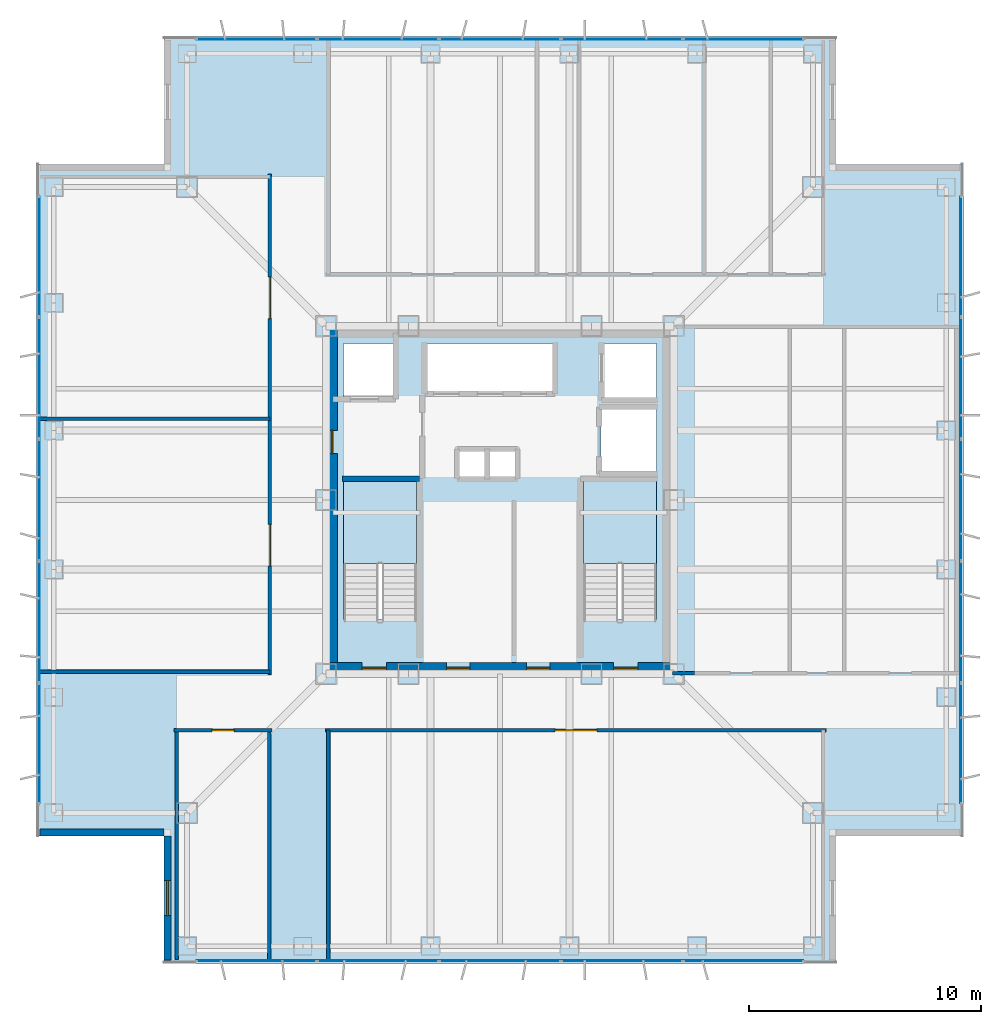
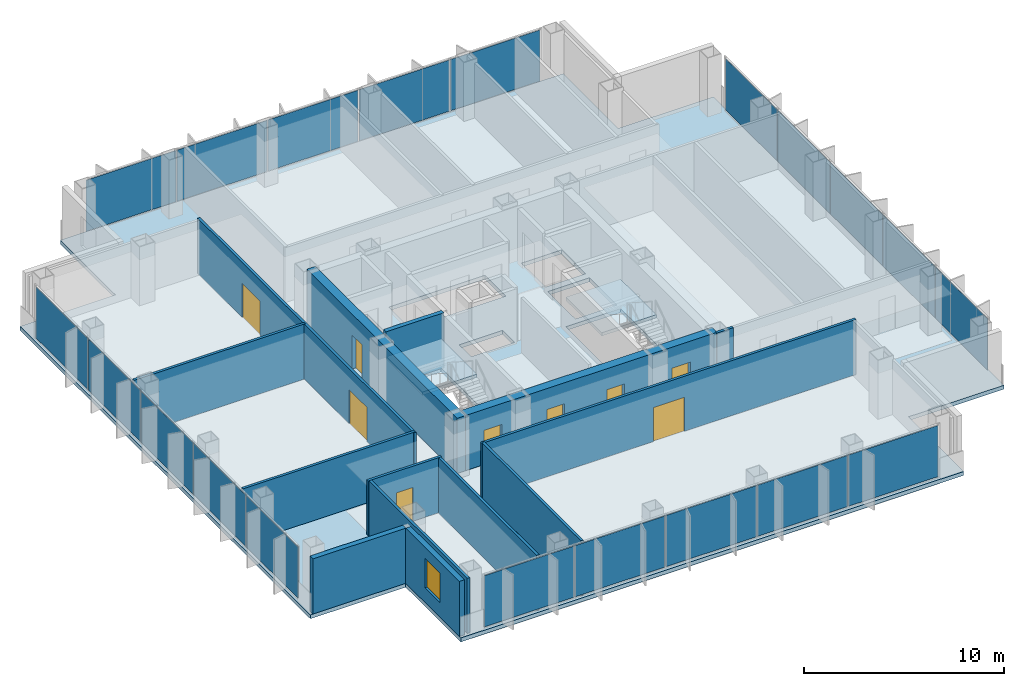
# One storey, part 9 of 17: 20 plates, 14 walls, 9 doors, 3 slabs, 1 window, 10 openings, 6 elements without a shape of their own.
"""IFC4 building model written with IfcOpenShell, lengths in metres."""

from ifc_helpers import new_model, si_unit, direction, frame, frame_2d, origin, origin_2d, place, context, subcontext, project, spatial, polyline, rectangle, outline, extrude, material, layer, layer_set, type_object, element, fill, aggregate, save


model = new_model("IFC4")

# Units and contexts
model_context = context("Model", 3, precision=1e-05, world=origin(), true_north=direction((0.0, 1.0)))
body_context = subcontext(model_context, "Body", "Model", "MODEL_VIEW")
ifc_project = project(units=[si_unit("LENGTHUNIT", "METRE"), si_unit("AREAUNIT", "SQUARE_METRE"), si_unit("VOLUMEUNIT", "CUBIC_METRE"), si_unit("PLANEANGLEUNIT", "RADIAN"), si_unit("MASSUNIT", "GRAM", prefix="KILO")], contexts=[model_context])

# Site, building, storey
site_placement = place(None, origin())
site = spatial("IfcSite", under=ifc_project, at=site_placement, CompositionType="ELEMENT")
building_placement = place(site_placement, origin())
building = spatial("IfcBuilding", under=site, at=building_placement, Name="Trevonay Congress Spire", CompositionType="ELEMENT")
storey_placement = place(building_placement, frame((0.0, 0.0, 184.199951171875)))
storey = spatial("IfcBuildingStorey", under=building, at=storey_placement, Name="L47", CompositionType="ELEMENT", Elevation=184.199951171875)

# Curtain wall, plates
ifc_material_1 = material(Name="Pale Anodised Aluminium EN AW-6063-T6", Category="aluminium")
ifc_layer_1 = layer(ifc_material_1, 0.169921875, Name="Pale Anodised Aluminium EN AW-6063-T6")
ifc_layer_set_1 = layer_set([ifc_layer_1], Name="Pale Anodised Aluminium EN AW-6063-T6")
curtain_wall_type = type_object("IfcCurtainWallType", Name="CW-SYS04-CORP-PALE-METAL", PredefinedType="NOTDEFINED", material=ifc_layer_set_1)
curtain_wall_1_placement = place(storey_placement, origin())
curtain_wall_1 = element("IfcCurtainWall", 1, at=curtain_wall_1_placement, inside=storey, type_object=curtain_wall_type, Name="L47 S unitised curtain wall", PredefinedType="NOTDEFINED")
ifc_material_2 = material(Name="Insulated Low-E Vision Glass IGU", Category="glass")
ifc_layer_2 = layer(ifc_material_2, 0.035888671875, Name="Insulated Low-E Vision Glass IGU")
ifc_layer_set_2 = layer_set([ifc_layer_2], Name="Insulated Low-E Vision Glass IGU")
plate_type = type_object("IfcPlateType", Name="CW-PANEL-IGU36-SILVER", PredefinedType="CURTAIN_PANEL", material=ifc_layer_set_2)
plate_1_placement = place(storey_placement, frame((-10.5048828125, -19.8798828125, 0.119873046875), z_axis=(0.0, 0.0, 1.0), x_axis=(1.0, 0.0, 0.0)))
plate_1 = element("IfcPlate", 2, at=plate_1_placement, type_object=plate_type, Name="CW04 panel 1.1", PredefinedType="CURTAIN_PANEL", context=body_context, shape_type="SweptSolid", body=[
    extrude(rectangle(XDim=5.169921875, YDim=0.035888671875, at=origin_2d()), origin(), (0.0, 0.0, 1.0), 3.1201171875),
])
plate_2_placement = place(storey_placement, frame((-5.260009765625, -19.8798828125, 0.119873046875), z_axis=(0.0, 0.0, 1.0), x_axis=(1.0, 0.0, 0.0)))
plate_2 = element("IfcPlate", 3, at=plate_2_placement, type_object=plate_type, Name="CW04 panel 2.1", PredefinedType="CURTAIN_PANEL", context=body_context, shape_type="SweptSolid", body=[
    extrude(rectangle(XDim=5.199951171875, YDim=0.035888671875, at=origin_2d()), origin(), (0.0, 0.0, 1.0), 3.1201171875),
])
plate_3_placement = place(storey_placement, frame((0.0, -19.8798828125, 0.119873046875), z_axis=(0.0, 0.0, 1.0), x_axis=(1.0, 0.0, 0.0)))
plate_3 = element("IfcPlate", 4, at=plate_3_placement, type_object=plate_type, Name="CW04 panel 3.1", PredefinedType="CURTAIN_PANEL", context=body_context, shape_type="SweptSolid", body=[
    extrude(rectangle(XDim=5.199951171875, YDim=0.035888671875, at=origin_2d()), origin(), (0.0, 0.0, 1.0), 3.1201171875),
])
plate_4_placement = place(storey_placement, frame((5.260009765625, -19.8798828125, 0.119873046875), z_axis=(0.0, 0.0, 1.0), x_axis=(1.0, 0.0, 0.0)))
plate_4 = element("IfcPlate", 5, at=plate_4_placement, type_object=plate_type, Name="CW04 panel 4.1", PredefinedType="CURTAIN_PANEL", context=body_context, shape_type="SweptSolid", body=[
    extrude(rectangle(XDim=5.199951171875, YDim=0.035888671875, at=origin_2d()), origin(), (0.0, 0.0, 1.0), 3.1201171875),
])
plate_5_placement = place(storey_placement, frame((10.5048828125, -19.8798828125, 0.119873046875), z_axis=(0.0, 0.0, 1.0), x_axis=(1.0, 0.0, 0.0)))
plate_5 = element("IfcPlate", 6, at=plate_5_placement, type_object=plate_type, Name="CW04 panel 5.1", PredefinedType="CURTAIN_PANEL", context=body_context, shape_type="SweptSolid", body=[
    extrude(rectangle(XDim=5.169921875, YDim=0.035888671875, at=origin_2d()), origin(), (0.0, 0.0, 1.0), 3.1201171875),
])
aggregate(curtain_wall_1, [plate_1, plate_2, plate_3, plate_4, plate_5])

curtain_wall_2_placement = place(storey_placement, origin())
curtain_wall_2 = element("IfcCurtainWall", 7, at=curtain_wall_2_placement, inside=storey, type_object=curtain_wall_type, Name="L47 N unitised curtain wall", PredefinedType="NOTDEFINED")
plate_6_placement = place(storey_placement, frame((-10.5048828125, 19.8798828125, 0.119873046875), z_axis=(0.0, 0.0, 1.0), x_axis=(1.0, 0.0, 0.0)))
plate_6 = element("IfcPlate", 8, at=plate_6_placement, type_object=plate_type, Name="CW04 panel 1.1", PredefinedType="CURTAIN_PANEL", context=body_context, shape_type="SweptSolid", body=[
    extrude(rectangle(XDim=5.169921875, YDim=0.035888671875, at=origin_2d()), origin(), (0.0, 0.0, 1.0), 3.1201171875),
])
plate_7_placement = place(storey_placement, frame((-5.260009765625, 19.8798828125, 0.119873046875), z_axis=(0.0, 0.0, 1.0), x_axis=(1.0, 0.0, 0.0)))
plate_7 = element("IfcPlate", 9, at=plate_7_placement, type_object=plate_type, Name="CW04 panel 2.1", PredefinedType="CURTAIN_PANEL", context=body_context, shape_type="SweptSolid", body=[
    extrude(rectangle(XDim=5.199951171875, YDim=0.035888671875, at=origin_2d()), origin(), (0.0, 0.0, 1.0), 3.1201171875),
])
plate_8_placement = place(storey_placement, frame((0.0, 19.8798828125, 0.119873046875), z_axis=(0.0, 0.0, 1.0), x_axis=(1.0, 0.0, 0.0)))
plate_8 = element("IfcPlate", 10, at=plate_8_placement, type_object=plate_type, Name="CW04 panel 3.1", PredefinedType="CURTAIN_PANEL", context=body_context, shape_type="SweptSolid", body=[
    extrude(rectangle(XDim=5.199951171875, YDim=0.035888671875, at=origin_2d()), origin(), (0.0, 0.0, 1.0), 3.1201171875),
])
plate_9_placement = place(storey_placement, frame((5.260009765625, 19.8798828125, 0.119873046875), z_axis=(0.0, 0.0, 1.0), x_axis=(1.0, 0.0, 0.0)))
plate_9 = element("IfcPlate", 11, at=plate_9_placement, type_object=plate_type, Name="CW04 panel 4.1", PredefinedType="CURTAIN_PANEL", context=body_context, shape_type="SweptSolid", body=[
    extrude(rectangle(XDim=5.199951171875, YDim=0.035888671875, at=origin_2d()), origin(), (0.0, 0.0, 1.0), 3.1201171875),
])
plate_10_placement = place(storey_placement, frame((10.5048828125, 19.8798828125, 0.119873046875), z_axis=(0.0, 0.0, 1.0), x_axis=(1.0, 0.0, 0.0)))
plate_10 = element("IfcPlate", 12, at=plate_10_placement, type_object=plate_type, Name="CW04 panel 5.1", PredefinedType="CURTAIN_PANEL", context=body_context, shape_type="SweptSolid", body=[
    extrude(rectangle(XDim=5.169921875, YDim=0.035888671875, at=origin_2d()), origin(), (0.0, 0.0, 1.0), 3.1201171875),
])
aggregate(curtain_wall_2, [plate_6, plate_7, plate_8, plate_9, plate_10])

curtain_wall_3_placement = place(storey_placement, origin())
curtain_wall_3 = element("IfcCurtainWall", 13, at=curtain_wall_3_placement, inside=storey, type_object=curtain_wall_type, Name="L47 W unitised curtain wall", PredefinedType="NOTDEFINED")
plate_11_placement = place(storey_placement, frame((-19.8798828125, -10.5048828125, 0.119873046875), z_axis=(0.0, 0.0, 1.0), x_axis=(0.0, 1.0, 0.0)))
plate_11 = element("IfcPlate", 14, at=plate_11_placement, type_object=plate_type, Name="CW04 panel 1.1", PredefinedType="CURTAIN_PANEL", context=body_context, shape_type="SweptSolid", body=[
    extrude(rectangle(XDim=5.169921875, YDim=0.035888671875, at=origin_2d()), origin(), (0.0, 0.0, 1.0), 3.1201171875),
])
plate_12_placement = place(storey_placement, frame((-19.8798828125, -5.260009765625, 0.119873046875), z_axis=(0.0, 0.0, 1.0), x_axis=(0.0, 1.0, 0.0)))
plate_12 = element("IfcPlate", 15, at=plate_12_placement, type_object=plate_type, Name="CW04 panel 2.1", PredefinedType="CURTAIN_PANEL", context=body_context, shape_type="SweptSolid", body=[
    extrude(rectangle(XDim=5.199951171875, YDim=0.035888671875, at=origin_2d()), origin(), (0.0, 0.0, 1.0), 3.1201171875),
])
plate_13_placement = place(storey_placement, frame((-19.8798828125, 0.0, 0.119873046875), z_axis=(0.0, 0.0, 1.0), x_axis=(0.0, 1.0, 0.0)))
plate_13 = element("IfcPlate", 16, at=plate_13_placement, type_object=plate_type, Name="CW04 panel 3.1", PredefinedType="CURTAIN_PANEL", context=body_context, shape_type="SweptSolid", body=[
    extrude(rectangle(XDim=5.199951171875, YDim=0.035888671875, at=origin_2d()), origin(), (0.0, 0.0, 1.0), 3.1201171875),
])
plate_14_placement = place(storey_placement, frame((-19.8798828125, 5.260009765625, 0.119873046875), z_axis=(0.0, 0.0, 1.0), x_axis=(0.0, 1.0, 0.0)))
plate_14 = element("IfcPlate", 17, at=plate_14_placement, type_object=plate_type, Name="CW04 panel 4.1", PredefinedType="CURTAIN_PANEL", context=body_context, shape_type="SweptSolid", body=[
    extrude(rectangle(XDim=5.199951171875, YDim=0.035888671875, at=origin_2d()), origin(), (0.0, 0.0, 1.0), 3.1201171875),
])
plate_15_placement = place(storey_placement, frame((-19.8798828125, 10.5048828125, 0.119873046875), z_axis=(0.0, 0.0, 1.0), x_axis=(0.0, 1.0, 0.0)))
plate_15 = element("IfcPlate", 18, at=plate_15_placement, type_object=plate_type, Name="CW04 panel 5.1", PredefinedType="CURTAIN_PANEL", context=body_context, shape_type="SweptSolid", body=[
    extrude(rectangle(XDim=5.169921875, YDim=0.035888671875, at=origin_2d()), origin(), (0.0, 0.0, 1.0), 3.1201171875),
])
aggregate(curtain_wall_3, [plate_11, plate_12, plate_13, plate_14, plate_15])

curtain_wall_4_placement = place(storey_placement, origin())
curtain_wall_4 = element("IfcCurtainWall", 19, at=curtain_wall_4_placement, inside=storey, type_object=curtain_wall_type, Name="L47 E unitised curtain wall", PredefinedType="NOTDEFINED")
plate_16_placement = place(storey_placement, frame((19.8798828125, -10.5048828125, 0.119873046875), z_axis=(0.0, 0.0, 1.0), x_axis=(0.0, 1.0, 0.0)))
plate_16 = element("IfcPlate", 20, at=plate_16_placement, type_object=plate_type, Name="CW04 panel 1.1", PredefinedType="CURTAIN_PANEL", context=body_context, shape_type="SweptSolid", body=[
    extrude(rectangle(XDim=5.169921875, YDim=0.035888671875, at=origin_2d()), origin(), (0.0, 0.0, 1.0), 3.1201171875),
])
plate_17_placement = place(storey_placement, frame((19.8798828125, -5.260009765625, 0.119873046875), z_axis=(0.0, 0.0, 1.0), x_axis=(0.0, 1.0, 0.0)))
plate_17 = element("IfcPlate", 21, at=plate_17_placement, type_object=plate_type, Name="CW04 panel 2.1", PredefinedType="CURTAIN_PANEL", context=body_context, shape_type="SweptSolid", body=[
    extrude(rectangle(XDim=5.199951171875, YDim=0.035888671875, at=origin_2d()), origin(), (0.0, 0.0, 1.0), 3.1201171875),
])
plate_18_placement = place(storey_placement, frame((19.8798828125, 0.0, 0.119873046875), z_axis=(0.0, 0.0, 1.0), x_axis=(0.0, 1.0, 0.0)))
plate_18 = element("IfcPlate", 22, at=plate_18_placement, type_object=plate_type, Name="CW04 panel 3.1", PredefinedType="CURTAIN_PANEL", context=body_context, shape_type="SweptSolid", body=[
    extrude(rectangle(XDim=5.199951171875, YDim=0.035888671875, at=origin_2d()), origin(), (0.0, 0.0, 1.0), 3.1201171875),
])
plate_19_placement = place(storey_placement, frame((19.8798828125, 5.260009765625, 0.119873046875), z_axis=(0.0, 0.0, 1.0), x_axis=(0.0, 1.0, 0.0)))
plate_19 = element("IfcPlate", 23, at=plate_19_placement, type_object=plate_type, Name="CW04 panel 4.1", PredefinedType="CURTAIN_PANEL", context=body_context, shape_type="SweptSolid", body=[
    extrude(rectangle(XDim=5.199951171875, YDim=0.035888671875, at=origin_2d()), origin(), (0.0, 0.0, 1.0), 3.1201171875),
])
plate_20_placement = place(storey_placement, frame((19.8798828125, 10.5048828125, 0.119873046875), z_axis=(0.0, 0.0, 1.0), x_axis=(0.0, 1.0, 0.0)))
plate_20 = element("IfcPlate", 24, at=plate_20_placement, type_object=plate_type, Name="CW04 panel 5.1", PredefinedType="CURTAIN_PANEL", context=body_context, shape_type="SweptSolid", body=[
    extrude(rectangle(XDim=5.169921875, YDim=0.035888671875, at=origin_2d()), origin(), (0.0, 0.0, 1.0), 3.1201171875),
])
aggregate(curtain_wall_4, [plate_16, plate_17, plate_18, plate_19, plate_20])

# Stair, slab
ifc_material_3 = material(Name="Concrete C40/50", Category="concrete")
stair_type_1 = type_object("IfcStairType", Name="STR-ST-1", PredefinedType="HALF_TURN_STAIR", material=ifc_material_3)
stair_1_placement = place(storey_placement, origin())
stair_1 = element("IfcStair", 25, at=stair_1_placement, inside=storey, type_object=stair_type_1, Name="L47 Protected Exit Stair ST-1", PredefinedType="HALF_TURN_STAIR")
ifc_layer_3 = layer(ifc_material_3, 0.199951171875, Name="Concrete C40/50")
ifc_layer_set_3 = layer_set([ifc_layer_3], Name="Concrete C40/50")
slab_type_1 = type_object("IfcSlabType", Name="SLB-STAIR-LAND-200", PredefinedType="LANDING", material=ifc_layer_set_3)
slab_1_placement = place(storey_placement, frame((0.0, 0.0, 1.60009765625)))
slab_1 = element("IfcSlab", 26, at=slab_1_placement, type_object=slab_type_1, Name="ST-1 landing 1", PredefinedType="LANDING", context=body_context, shape_type="SweptSolid", body=[
    extrude(outline(polyline([(-3.60009765625, -2.72998046875), (-3.60009765625, 0.85009765625), (-6.75, 0.85009765625), (-6.75, -2.72998046875), (-3.60009765625, -2.72998046875)])), origin(), (0.0, 0.0, 1.0), 0.199951171875),
])
aggregate(stair_1, [slab_1])

stair_type_2 = type_object("IfcStairType", Name="STR-ST-2", PredefinedType="HALF_TURN_STAIR", material=ifc_material_3)
stair_2_placement = place(storey_placement, origin())
stair_2 = element("IfcStair", 27, at=stair_2_placement, inside=storey, type_object=stair_type_2, Name="L47 Protected Exit Stair ST-2", PredefinedType="HALF_TURN_STAIR")
slab_2_placement = place(storey_placement, frame((0.0, 0.0, 1.60009765625)))
slab_2 = element("IfcSlab", 28, at=slab_2_placement, type_object=slab_type_1, Name="ST-2 landing 1", PredefinedType="LANDING", context=body_context, shape_type="SweptSolid", body=[
    extrude(outline(polyline([(6.75, -2.72998046875), (6.75, 0.85009765625), (3.60009765625, 0.85009765625), (3.60009765625, -2.72998046875), (6.75, -2.72998046875)])), origin(), (0.0, 0.0, 1.0), 0.199951171875),
])
aggregate(stair_2, [slab_2])

# Slab
ifc_layer_4 = layer(ifc_material_3, 0.239990234375, Name="Concrete C40/50")
ifc_layer_set_4 = layer_set([ifc_layer_4], Name="Concrete C40/50")
slab_type_2 = type_object("IfcSlabType", Name="SLB-TOW2-240", PredefinedType="FLOOR", material=ifc_layer_set_4)
slab_3_placement = place(storey_placement, frame((0.0, 0.0, -0.239990234375)))
element("IfcSlab", 29, at=slab_3_placement, inside=storey, type_object=slab_type_2, Name="L47 structural floor slab", PredefinedType="FLOOR", context=body_context, shape_type="SweptSolid", body=[
    extrude(outline(polyline([(-14.5, -20.0), (14.5, -20.0), (14.5, -14.5), (20.0, -14.5), (20.0, 14.5), (14.5, 14.5), (14.5, 20.0), (-14.5, 20.0), (-14.5, 14.5), (-20.0, 14.5), (-20.0, -14.5), (-14.5, -14.5), (-14.5, -20.0)]), holes=[polyline([(-3.60009765625, -5.14990234375), (-3.60009765625, 0.85009765625), (-6.75, 0.85009765625), (-6.75, -5.14990234375), (-3.60009765625, -5.14990234375)]), polyline([(6.75, -5.14990234375), (6.75, 0.85009765625), (3.60009765625, 0.85009765625), (3.60009765625, -5.14990234375), (6.75, -5.14990234375)]), polyline([(-3.199951171875, 4.64990234375), (2.340087890625, 4.64990234375), (2.340087890625, 6.75), (-3.199951171875, 6.75), (-3.199951171875, 4.64990234375)]), polyline([(-6.75, 4.35009765625), (-4.449951171875, 4.35009765625), (-4.449951171875, 6.75), (-6.75, 6.75), (-6.75, 4.35009765625)]), polyline([(4.449951171875, 4.35009765625), (6.75, 4.35009765625), (6.75, 6.75), (4.449951171875, 6.75), (4.449951171875, 4.35009765625)]), polyline([(4.35009765625, 1.199951171875), (6.75, 1.199951171875), (6.75, 3.949951171875), (4.35009765625, 3.949951171875), (4.35009765625, 1.199951171875)]), polyline([(-1.800048828125, 0.949951171875), (0.699951171875, 0.949951171875), (0.699951171875, 2.14990234375), (-1.800048828125, 2.14990234375), (-1.800048828125, 0.949951171875)])]), origin(), (0.0, 0.0, 1.0), 0.239990234375),
])

# Wall, openings, doors
ifc_material_4 = material(Name="Concrete C50/60", Category="concrete")
ifc_layer_5 = layer(ifc_material_4, 0.5, Name="Concrete C50/60")
ifc_layer_set_5 = layer_set([ifc_layer_5], Name="Concrete C50/60")
wall_type_1 = type_object("IfcWallType", Name="WAL-CORE-500", PredefinedType="SHEAR", material=ifc_layer_set_5)
wall_1_placement = place(storey_placement, frame((-7.5, -7.25, 0.0), z_axis=(0.0, 0.0, 1.0), x_axis=(1.0, 0.0, 0.0)))
wall_1 = element("IfcWall", 30, at=wall_1_placement, inside=storey, type_object=wall_type_1, Name="L47 South structural core shear wall", PredefinedType="SHEAR", context=body_context, shape_type="SweptSolid", body=[
    extrude(rectangle(XDim=15.0, YDim=0.5, at=frame_2d((7.5, 0.0))), origin(), (0.0, 0.0, 1.0), 3.360107421875),
])
opening_1_placement = place(wall_1_placement, frame((1.550048828125, 0.0, 0.0)))
opening_1 = element("IfcOpeningElement", 31, at=opening_1_placement, cuts=wall_1, Name="Opening D05", PredefinedType="OPENING", context=body_context, shape_type="SweptSolid", body=[
    extrude(rectangle(XDim=1.050048828125, YDim=2.080078125, at=frame_2d((0.52490234375, 1.0400390625))), frame((0.0, 0.260009765625, 0.0), z_axis=(0.0, -1.0, 0.0), x_axis=(1.0, 0.0, 0.0)), (0.0, 0.0, 1.0), 0.52001953125),
])
opening_2_placement = place(wall_1_placement, frame((12.39990234375, 0.0, 0.0)))
opening_2 = element("IfcOpeningElement", 32, at=opening_2_placement, cuts=wall_1, Name="Opening D05", PredefinedType="OPENING", context=body_context, shape_type="SweptSolid", body=[
    extrude(rectangle(XDim=1.050048828125, YDim=2.080078125, at=frame_2d((0.52490234375, 1.0400390625))), frame((0.0, 0.260009765625, 0.0), z_axis=(0.0, -1.0, 0.0), x_axis=(1.0, 0.0, 0.0)), (0.0, 0.0, 1.0), 0.52001953125),
])
opening_3_placement = place(wall_1_placement, frame((5.199951171875, 0.0, 0.0)))
opening_3 = element("IfcOpeningElement", 33, at=opening_3_placement, cuts=wall_1, Name="Opening D06", PredefinedType="OPENING", context=body_context, shape_type="SweptSolid", body=[
    extrude(rectangle(XDim=1.0, YDim=2.080078125, at=frame_2d((0.5, 1.0400390625))), frame((0.0, 0.260009765625, 0.0), z_axis=(0.0, -1.0, 0.0), x_axis=(1.0, 0.0, 0.0)), (0.0, 0.0, 1.0), 0.52001953125),
])
opening_4_placement = place(wall_1_placement, frame((8.64990234375, 0.0, 0.0)))
opening_4 = element("IfcOpeningElement", 34, at=opening_4_placement, cuts=wall_1, Name="Opening D06", PredefinedType="OPENING", context=body_context, shape_type="SweptSolid", body=[
    extrude(rectangle(XDim=1.0, YDim=2.080078125, at=frame_2d((0.5, 1.0400390625))), frame((0.0, 0.260009765625, 0.0), z_axis=(0.0, -1.0, 0.0), x_axis=(1.0, 0.0, 0.0)), (0.0, 0.0, 1.0), 0.52001953125),
])
ifc_material_5 = material(Name="Steel ASTM A572 Grade 50", Category="steel")
door_type_1 = type_object("IfcDoorType", Name="DOR-FIRE-100", OperationType="NOTDEFINED", PredefinedType="DOOR", material=ifc_material_5)
door_1_placement = place(opening_3_placement, origin())
door_1 = element("IfcDoor", 35, at=door_1_placement, inside=storey, type_object=door_type_1, Name="L47 South Core Room 1 Door", OperationType="SINGLE_SWING_RIGHT", OverallHeight=2.080078125, OverallWidth=1.0, PredefinedType="DOOR", context=body_context, shape_type="SweptSolid", body=[
    extrude(rectangle(XDim=1.0, YDim=2.080078125, at=frame_2d((0.5, 1.0400390625))), frame((0.0, 0.02490234375, 0.0), z_axis=(0.0, -1.0, 0.0), x_axis=(1.0, 0.0, 0.0)), (0.0, 0.0, 1.0), 0.050048828125),
])
fill(opening_3, door_1)
door_2_placement = place(opening_4_placement, origin())
door_2 = element("IfcDoor", 36, at=door_2_placement, inside=storey, type_object=door_type_1, Name="L47 South Core Room 2 Door", OperationType="SINGLE_SWING_LEFT", OverallHeight=2.080078125, OverallWidth=1.0, PredefinedType="DOOR", context=body_context, shape_type="SweptSolid", body=[
    extrude(rectangle(XDim=1.0, YDim=2.080078125, at=frame_2d((0.5, 1.0400390625))), frame((0.0, 0.02490234375, 0.0), z_axis=(0.0, -1.0, 0.0), x_axis=(1.0, 0.0, 0.0)), (0.0, 0.0, 1.0), 0.050048828125),
])
fill(opening_4, door_2)
door_type_2 = type_object("IfcDoorType", Name="DOR-STAIR-110", OperationType="NOTDEFINED", PredefinedType="DOOR", material=ifc_material_5)
door_3_placement = place(opening_1_placement, origin())
door_3 = element("IfcDoor", 37, at=door_3_placement, inside=storey, type_object=door_type_2, Name="L47 Protected Stair ST-1 Door", OperationType="SINGLE_SWING_LEFT", OverallHeight=2.080078125, OverallWidth=1.050048828125, PredefinedType="DOOR", context=body_context, shape_type="SweptSolid", body=[
    extrude(rectangle(XDim=1.050048828125, YDim=2.080078125, at=frame_2d((0.52490234375, 1.0400390625))), frame((0.0, 0.02490234375, 0.0), z_axis=(0.0, -1.0, 0.0), x_axis=(1.0, 0.0, 0.0)), (0.0, 0.0, 1.0), 0.050048828125),
])
fill(opening_1, door_3)
door_4_placement = place(opening_2_placement, origin())
door_4 = element("IfcDoor", 38, at=door_4_placement, inside=storey, type_object=door_type_2, Name="L47 Protected Stair ST-2 Door", OperationType="SINGLE_SWING_RIGHT", OverallHeight=2.080078125, OverallWidth=1.050048828125, PredefinedType="DOOR", context=body_context, shape_type="SweptSolid", body=[
    extrude(rectangle(XDim=1.050048828125, YDim=2.080078125, at=frame_2d((0.52490234375, 1.0400390625))), frame((0.0, 0.02490234375, 0.0), z_axis=(0.0, -1.0, 0.0), x_axis=(1.0, 0.0, 0.0)), (0.0, 0.0, 1.0), 0.050048828125),
])
fill(opening_2, door_4)

# Wall, opening, door
wall_2_placement = place(storey_placement, frame((-7.25, -7.5, 0.0), z_axis=(0.0, 0.0, 1.0), x_axis=(0.0, 1.0, 0.0)))
wall_2 = element("IfcWall", 39, at=wall_2_placement, inside=storey, type_object=wall_type_1, Name="L47 West structural core shear wall", PredefinedType="SHEAR", context=body_context, shape_type="SweptSolid", body=[
    extrude(rectangle(XDim=15.0, YDim=0.5, at=frame_2d((7.5, 0.0))), origin(), (0.0, 0.0, 1.0), 3.360107421875),
])
opening_5_placement = place(wall_2_placement, frame((9.5, 0.0, 0.0)))
opening_5 = element("IfcOpeningElement", 40, at=opening_5_placement, cuts=wall_2, Name="Opening D06", PredefinedType="OPENING", context=body_context, shape_type="SweptSolid", body=[
    extrude(rectangle(XDim=1.0, YDim=2.080078125, at=frame_2d((0.5, 1.0400390625))), frame((0.0, 0.260009765625, 0.0), z_axis=(0.0, -1.0, 0.0), x_axis=(1.0, 0.0, 0.0)), (0.0, 0.0, 1.0), 0.52001953125),
])
door_5_placement = place(opening_5_placement, origin())
door_5 = element("IfcDoor", 41, at=door_5_placement, inside=storey, type_object=door_type_1, Name="L47 Firefighting Lift Lobby West Corridor Door", OperationType="SINGLE_SWING_LEFT", OverallHeight=2.080078125, OverallWidth=1.0, PredefinedType="DOOR", context=body_context, shape_type="SweptSolid", body=[
    extrude(rectangle(XDim=1.0, YDim=2.080078125, at=frame_2d((0.5, 1.0400390625))), frame((0.0, 0.02490234375, 0.0), z_axis=(0.0, -1.0, 0.0), x_axis=(1.0, 0.0, 0.0)), (0.0, 0.0, 1.0), 0.050048828125),
])
fill(opening_5, door_5)

ifc_layer_6 = layer(ifc_material_3, 0.14990234375, Name="Concrete C40/50")
ifc_layer_set_6 = layer_set([ifc_layer_6], Name="Concrete C40/50")
wall_type_2 = type_object("IfcWallType", Name="WAL-CORR-150", PredefinedType="PARTITIONING", material=ifc_layer_set_6)
wall_3_placement = place(storey_placement, frame((-14.070068359375, -9.929931640625, 0.0), z_axis=(0.0, 0.0, 1.0), x_axis=(1.0, 0.0, 0.0)))
wall_3 = element("IfcWall", 42, at=wall_3_placement, inside=storey, type_object=wall_type_2, Name="L47 interior wall WP-L47SW-COR", PredefinedType="PARTITIONING", context=body_context, shape_type="SweptSolid", body=[
    extrude(rectangle(XDim=4.239990234375, YDim=0.14990234375, at=frame_2d((2.1201171875, 0.0))), origin(), (0.0, 0.0, 1.0), 3.360107421875),
])
opening_6_placement = place(wall_3_placement, frame((1.64501953125, 0.0, 0.0)))
opening_6 = element("IfcOpeningElement", 43, at=opening_6_placement, cuts=wall_3, Name="Opening D07", PredefinedType="OPENING", context=body_context, shape_type="SweptSolid", body=[
    extrude(rectangle(XDim=0.949951171875, YDim=2.06005859375, at=frame_2d((0.47509765625, 1.030029296875))), frame((0.0, 0.0849609375, 0.0), z_axis=(0.0, -1.0, 0.0), x_axis=(1.0, 0.0, 0.0)), (0.0, 0.0, 1.0), 0.169921875),
])
door_type_3 = type_object("IfcDoorType", Name="DOR-OFFICE-95", OperationType="NOTDEFINED", PredefinedType="DOOR", material=ifc_material_1)
door_6_placement = place(opening_6_placement, origin())
door_6 = element("IfcDoor", 44, at=door_6_placement, inside=storey, type_object=door_type_3, Name="L47 Tribunal Judges Deliberation Room Door", OperationType="SINGLE_SWING_LEFT", OverallHeight=2.06005859375, OverallWidth=0.949951171875, PredefinedType="DOOR", context=body_context, shape_type="SweptSolid", body=[
    extrude(rectangle(XDim=0.949951171875, YDim=2.06005859375, at=frame_2d((0.47509765625, 1.030029296875))), frame((0.0, 0.02490234375, 0.0), z_axis=(0.0, -1.0, 0.0), x_axis=(1.0, 0.0, 0.0)), (0.0, 0.0, 1.0), 0.050048828125),
])
fill(opening_6, door_6)

wall_4_placement = place(storey_placement, frame((-7.52001953125, -9.929931640625, 0.0), z_axis=(0.0, 0.0, 1.0), x_axis=(1.0, 0.0, 0.0)))
wall_4 = element("IfcWall", 45, at=wall_4_placement, inside=storey, type_object=wall_type_2, Name="L47 interior wall WP-L47SE-COR", PredefinedType="PARTITIONING", context=body_context, shape_type="SweptSolid", body=[
    extrude(rectangle(XDim=21.590087890625, YDim=0.14990234375, at=frame_2d((10.794921875, 0.0))), origin(), (0.0, 0.0, 1.0), 3.360107421875),
])
opening_7_placement = place(wall_4_placement, frame((9.89501953125, 0.0, 0.0)))
opening_7 = element("IfcOpeningElement", 46, at=opening_7_placement, cuts=wall_4, Name="Opening D09", PredefinedType="OPENING", context=body_context, shape_type="SweptSolid", body=[
    extrude(rectangle(XDim=1.800048828125, YDim=2.080078125, at=frame_2d((0.89990234375, 1.0400390625))), frame((0.0, 0.0849609375, 0.0), z_axis=(0.0, -1.0, 0.0), x_axis=(1.0, 0.0, 0.0)), (0.0, 0.0, 1.0), 0.169921875),
])
door_type_4 = type_object("IfcDoorType", Name="DOR-CONF-DBL", OperationType="DOUBLE_DOOR_SINGLE_SWING", PredefinedType="DOOR", material=ifc_material_1)
door_7_placement = place(opening_7_placement, origin())
door_7 = element("IfcDoor", 47, at=door_7_placement, inside=storey, type_object=door_type_4, Name="L47 Grand International Arbitration Hearing Hall Door", OperationType="DOUBLE_DOOR_SINGLE_SWING", OverallHeight=2.080078125, OverallWidth=1.800048828125, PredefinedType="DOOR", context=body_context, shape_type="SweptSolid", body=[
    extrude(rectangle(XDim=1.800048828125, YDim=2.080078125, at=frame_2d((0.89990234375, 1.0400390625))), frame((0.0, 0.02490234375, 0.0), z_axis=(0.0, -1.0, 0.0), x_axis=(1.0, 0.0, 0.0)), (0.0, 0.0, 1.0), 0.050048828125),
])
fill(opening_7, door_7)

# Wall, openings, doors
wall_5_placement = place(storey_placement, frame((-9.929931640625, -7.52001953125, 0.0), z_axis=(0.0, 0.0, 1.0), x_axis=(0.0, 1.0, 0.0)))
wall_5 = element("IfcWall", 48, at=wall_5_placement, inside=storey, type_object=wall_type_2, Name="L47 interior wall WP-L47NW-COR", PredefinedType="PARTITIONING", context=body_context, shape_type="SweptSolid", body=[
    extrude(rectangle(XDim=21.590087890625, YDim=0.14990234375, at=frame_2d((10.794921875, 0.0))), origin(), (0.0, 0.0, 1.0), 3.360107421875),
])
opening_8_placement = place(wall_5_placement, frame((4.669921875, 0.0, 0.0)))
opening_8 = element("IfcOpeningElement", 49, at=opening_8_placement, cuts=wall_5, Name="Opening D09", PredefinedType="OPENING", context=body_context, shape_type="SweptSolid", body=[
    extrude(rectangle(XDim=1.800048828125, YDim=2.080078125, at=frame_2d((0.89990234375, 1.0400390625))), frame((0.0, 0.0849609375, 0.0), z_axis=(0.0, -1.0, 0.0), x_axis=(1.0, 0.0, 0.0)), (0.0, 0.0, 1.0), 0.169921875),
])
opening_9_placement = place(wall_5_placement, frame((15.344970703125, 0.0, 0.0)))
opening_9 = element("IfcOpeningElement", 50, at=opening_9_placement, cuts=wall_5, Name="Opening D09", PredefinedType="OPENING", context=body_context, shape_type="SweptSolid", body=[
    extrude(rectangle(XDim=1.800048828125, YDim=2.080078125, at=frame_2d((0.89990234375, 1.0400390625))), frame((0.0, 0.0849609375, 0.0), z_axis=(0.0, -1.0, 0.0), x_axis=(1.0, 0.0, 0.0)), (0.0, 0.0, 1.0), 0.169921875),
])
door_8_placement = place(opening_8_placement, origin())
door_8 = element("IfcDoor", 51, at=door_8_placement, inside=storey, type_object=door_type_4, Name="L47 Claimant Caucus Boardroom Door", OperationType="DOUBLE_DOOR_SINGLE_SWING", OverallHeight=2.080078125, OverallWidth=1.800048828125, PredefinedType="DOOR", context=body_context, shape_type="SweptSolid", body=[
    extrude(rectangle(XDim=1.800048828125, YDim=2.080078125, at=frame_2d((0.89990234375, 1.0400390625))), frame((0.0, 0.02490234375, 0.0), z_axis=(0.0, -1.0, 0.0), x_axis=(1.0, 0.0, 0.0)), (0.0, 0.0, 1.0), 0.050048828125),
])
fill(opening_8, door_8)
door_9_placement = place(opening_9_placement, origin())
door_9 = element("IfcDoor", 52, at=door_9_placement, inside=storey, type_object=door_type_4, Name="L47 Respondent Caucus Boardroom Door", OperationType="DOUBLE_DOOR_SINGLE_SWING", OverallHeight=2.080078125, OverallWidth=1.800048828125, PredefinedType="DOOR", context=body_context, shape_type="SweptSolid", body=[
    extrude(rectangle(XDim=1.800048828125, YDim=2.080078125, at=frame_2d((0.89990234375, 1.0400390625))), frame((0.0, 0.02490234375, 0.0), z_axis=(0.0, -1.0, 0.0), x_axis=(1.0, 0.0, 0.0)), (0.0, 0.0, 1.0), 0.050048828125),
])
fill(opening_9, door_9)

# Wall
wall_6_placement = place(storey_placement, frame((7.449951171875, -7.47998046875, 0.0), z_axis=(0.0, 0.0, 1.0), x_axis=(1.0, 0.0, 0.0)))
element("IfcWall", 53, at=wall_6_placement, inside=storey, type_object=wall_type_2, Name="L47 interior wall WP-L47E-STUB", PredefinedType="PARTITIONING", context=body_context, shape_type="SweptSolid", body=[
    extrude(rectangle(XDim=0.949951171875, YDim=0.14990234375, at=frame_2d((0.47509765625, 0.0))), origin(), (0.0, 0.0, 1.0), 3.360107421875),
])

# Wall, opening, window
ifc_material_6 = material(Name="Precast concrete C40/50", Category="concrete")
ifc_layer_7 = layer(ifc_material_6, 0.300048828125, Name="Precast concrete C40/50")
ifc_layer_set_7 = layer_set([ifc_layer_7], Name="Precast concrete C40/50")
wall_type_3 = type_object("IfcWallType", Name="WAL-EXT-PRECAST-300", PredefinedType="SOLIDWALL", material=ifc_layer_set_7)
wall_7_placement = place(storey_placement, frame((-14.35009765625, -19.85009765625, 0.0), z_axis=(0.0, 0.0, 1.0), x_axis=(0.0, 1.0, 0.0)))
wall_7 = element("IfcWall", 54, at=wall_7_placement, inside=storey, type_object=wall_type_3, Name="L47 SW re-entrant notch exterior wall 1", PredefinedType="SOLIDWALL", context=body_context, shape_type="SweptSolid", body=[
    extrude(rectangle(XDim=5.35009765625, YDim=0.300048828125, at=frame_2d((2.675048828125, 0.0))), origin(), (0.0, 0.0, 1.0), 3.360107421875),
])
opening_10_placement = place(wall_7_placement, frame((1.925048828125, 0.0, 0.89990234375)))
opening_10 = element("IfcOpeningElement", 55, at=opening_10_placement, cuts=wall_7, Name="Opening WN03", PredefinedType="OPENING", context=body_context, shape_type="SweptSolid", body=[
    extrude(rectangle(XDim=1.5, YDim=1.800048828125, at=frame_2d((0.75, 0.89990234375))), frame((0.0, 0.16015625, 0.0), z_axis=(0.0, -1.0, 0.0), x_axis=(1.0, 0.0, 0.0)), (0.0, 0.0, 1.0), 0.320068359375),
])
window_type = type_object("IfcWindowType", Name="WIN-NOTCH-150X180", PartitioningType="SINGLE_PANEL", PredefinedType="WINDOW", material=ifc_material_2)
window_placement = place(opening_10_placement, origin())
window = element("IfcWindow", 56, at=window_placement, inside=storey, type_object=window_type, Name="L47 SW corner notch window", OverallHeight=1.800048828125, OverallWidth=1.5, PartitioningType="SINGLE_PANEL", PredefinedType="WINDOW", context=body_context, shape_type="SweptSolid", body=[
    extrude(rectangle(XDim=1.5, YDim=1.800048828125, at=frame_2d((0.75, 0.89990234375))), frame((0.0, 0.030029296875, 0.0), z_axis=(0.0, -1.0, 0.0), x_axis=(1.0, 0.0, 0.0)), (0.0, 0.0, 1.0), 0.06005859375),
])
fill(opening_10, window)

# Walls
wall_8_placement = place(storey_placement, frame((-19.85009765625, -14.35009765625, 0.0), z_axis=(0.0, 0.0, 1.0), x_axis=(1.0, 0.0, 0.0)))
element("IfcWall", 57, at=wall_8_placement, inside=storey, type_object=wall_type_3, Name="L47 SW re-entrant notch exterior wall 2", PredefinedType="SOLIDWALL", context=body_context, shape_type="SweptSolid", body=[
    extrude(rectangle(XDim=5.35009765625, YDim=0.300048828125, at=frame_2d((2.675048828125, 0.0))), origin(), (0.0, 0.0, 1.0), 3.360107421875),
])
ifc_layer_8 = layer(ifc_material_3, 0.14990234375, Name="Concrete C40/50")
ifc_layer_set_8 = layer_set([ifc_layer_8], Name="Concrete C40/50")
wall_type_4 = type_object("IfcWallType", Name="WAL-PART-150", PredefinedType="PARTITIONING", material=ifc_layer_set_8)
for number, where, z_axis, x_axis, name in (
    (58, (-13.949951171875, -19.820068359375, 0.0), (0.0, 0.0, 1.0), (0.0, 1.0, 0.0), "L47 interior wall WP-L47SW-DIV1"),
    (59, (-9.949951171875, -19.820068359375, 0.0), (0.0, 0.0, 1.0), (0.0, 1.0, 0.0), "L47 interior wall WP-L47SW-DIV2"),
    (60, (-7.39990234375, -19.820068359375, 0.0), (0.0, 0.0, 1.0), (0.0, 1.0, 0.0), "L47 interior wall WP-L47SE-DIV1"),
    (61, (-19.820068359375, -7.39990234375, 0.0), (0.0, 0.0, 1.0), (1.0, 0.0, 0.0), "L47 interior wall WP-L47NW-DIV1"),
    (62, (-19.820068359375, 3.5, 0.0), (0.0, 0.0, 1.0), (1.0, 0.0, 0.0), "L47 interior wall WP-L47NW-DIV2"),
):
    element("IfcWall", number, at=place(storey_placement, frame(where, z_axis=z_axis, x_axis=x_axis)), inside=storey, type_object=wall_type_4, Name=name, PredefinedType="PARTITIONING", context=body_context, shape_type="SweptSolid", body=[
        extrude(rectangle(XDim=9.89013671875, YDim=0.14990234375, at=frame_2d((4.945068359375, 0.0))), origin(), (0.0, 0.0, 1.0), 3.360107421875),
    ])
ifc_layer_9 = layer(ifc_material_3, 0.25, Name="Concrete C40/50")
ifc_layer_set_9 = layer_set([ifc_layer_9], Name="Concrete C40/50")
wall_type_5 = type_object("IfcWallType", Name="WAL-SHAFT-LB-250", PredefinedType="SHEAR", material=ifc_layer_set_9)
wall_9_placement = place(storey_placement, frame((-6.800048828125, 0.919921875, 0.0), z_axis=(0.0, 0.0, 1.0), x_axis=(1.0, 0.0, 0.0)))
element("IfcWall", 63, at=wall_9_placement, inside=storey, type_object=wall_type_5, Name="L47 interior shaft wall WSH-L47-ST1-N", PredefinedType="SHEAR", context=body_context, shape_type="SweptSolid", body=[
    extrude(rectangle(XDim=3.330078125, YDim=0.25, at=frame_2d((1.6650390625, 0.0))), origin(), (0.0, 0.0, 1.0), 3.360107421875),
])

save(model, "model.ifc")
